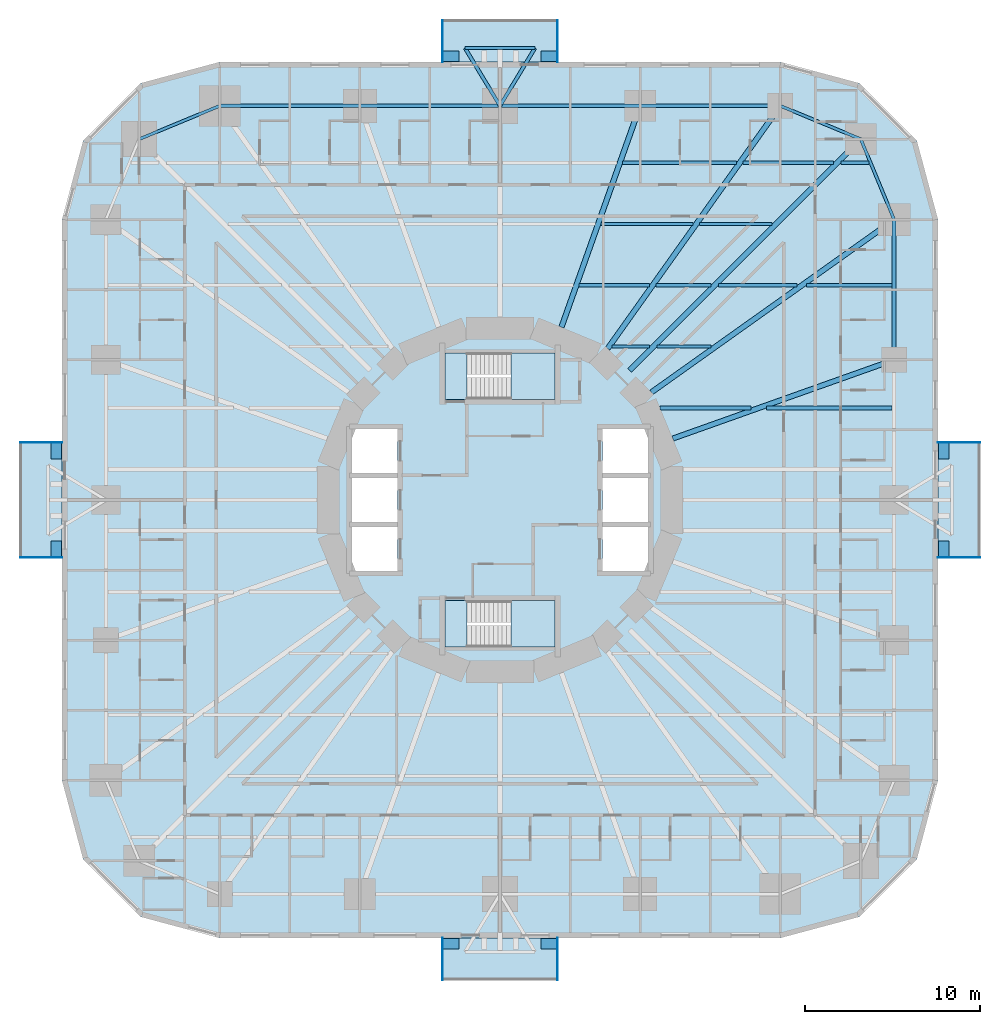
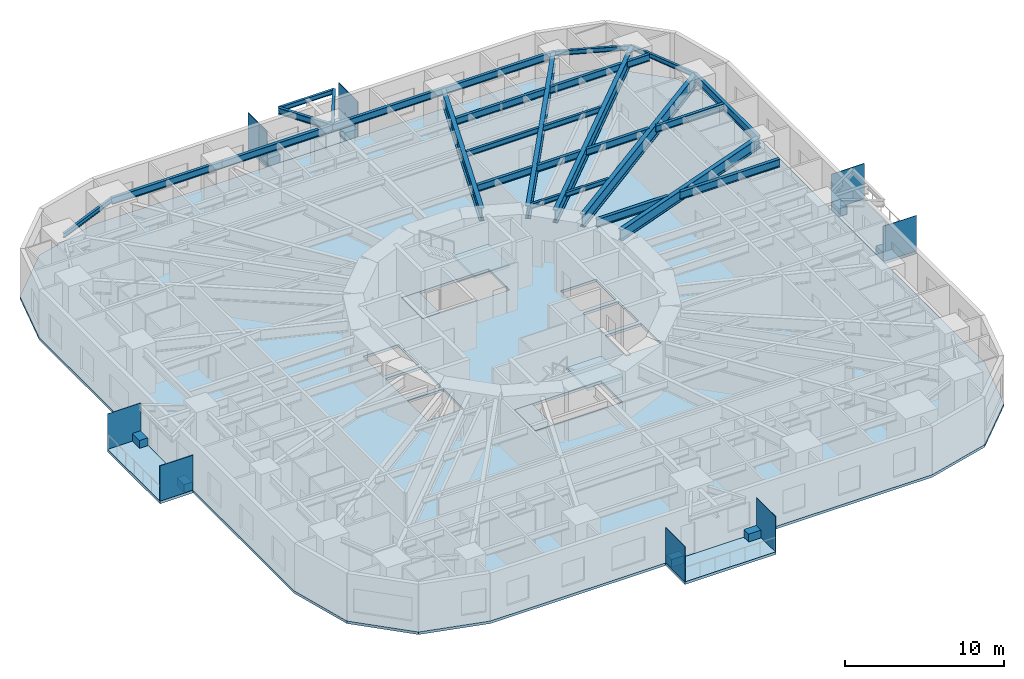
# One storey, part 3 of 14: 29 beams, 16 plates, 9 slabs, 2 elements without a shape of their own.
"""IFC4 building model written with IfcOpenShell, lengths in metres."""

from ifc_helpers import new_model, si_unit, direction, frame, origin, origin_2d, place, context, subcontext, project, spatial, polyline, rectangle, i_section, outline, extrude, material, layer, layer_set, material_profile, profile_set, type_object, element, aggregate, save


model = new_model("IFC4")

# Units and contexts
model_context = context("Model", 3, precision=1e-05, world=origin(), true_north=direction((0.0, 1.0)))
body_context = subcontext(model_context, "Body", "Model", "MODEL_VIEW")
ifc_project = project(units=[si_unit("LENGTHUNIT", "METRE"), si_unit("AREAUNIT", "SQUARE_METRE"), si_unit("VOLUMEUNIT", "CUBIC_METRE"), si_unit("PLANEANGLEUNIT", "RADIAN"), si_unit("MASSUNIT", "GRAM", prefix="KILO")], contexts=[model_context])

# Site, building, storey
site_placement = place(None, origin())
site = spatial("IfcSite", under=ifc_project, at=site_placement, CompositionType="ELEMENT")
building_placement = place(site_placement, origin())
building = spatial("IfcBuilding", under=site, at=building_placement, Name="Nakasero Lantern House", CompositionType="ELEMENT")
storey_placement = place(building_placement, frame((0.0, 0.0, 46.800048828125)))
storey = spatial("IfcBuildingStorey", under=building, at=storey_placement, Name="L11", CompositionType="ELEMENT", Elevation=46.800048828125)

# Beams
ifc_material_1 = material(Name="Steel S355", Category="steel")
ifc_material_profile_1 = material_profile(ifc_material_1, i_section(OverallWidth=0.199462890625, OverallDepth=0.491943359375, WebThickness=0.01806640625, FlangeThickness=0.031982421875, FilletRadius=0.01025390625, at=origin_2d()), Name="UB 457x191x161")
ifc_profile_set_1 = profile_set([ifc_material_profile_1], Name="Steel S355")
beam_type_1 = type_object("IfcBeamType", Name="Balcony splay beam UB 457x191x161", PredefinedType="BEAM", material=ifc_profile_set_1)
for number, where, z_axis, x_axis, name in (
    (1, (0.0, 22.5, 3.404052734375), (-0.518296107317, 0.855201230787, 0.0), (-0.855201230787, -0.518296107317, 0.0), "Balcony splay beam L12 B1-C09A"),
    (2, (0.0, 22.5, 3.404052734375), (0.518296107317, 0.855201230787, 0.0), (-0.855201230787, 0.518296107317, 0.0), "Balcony splay beam L12 B1-C09B"),
):
    element("IfcBeam", number, at=place(storey_placement, frame(where, z_axis=z_axis, x_axis=x_axis)), inside=storey, type_object=beam_type_1, Name=name, PredefinedType="BEAM", context=body_context, shape_type="SweptSolid", body=[
        extrude(i_section(OverallWidth=0.199462890625, OverallDepth=0.491943359375, WebThickness=0.01806640625, FlangeThickness=0.031982421875, FilletRadius=0.01025390625, at=origin_2d()), origin(), (0.0, 0.0, 1.0), 3.85888671875),
    ])
ifc_material_2 = material(Name="Steel S355", Category="steel")
ifc_material_profile_2 = material_profile(ifc_material_2, i_section(OverallWidth=0.17138671875, OverallDepth=0.35498046875, WebThickness=0.00732421875, FlangeThickness=0.011474609375, FilletRadius=0.01025390625, at=origin_2d()), Name="UB 356x171x51")
ifc_profile_set_2 = profile_set([ifc_material_profile_2], Name="Steel S355")
beam_type_2 = type_object("IfcBeamType", Name="Balcony tie beam UB 356x171x51", PredefinedType="BEAM", material=ifc_profile_set_2)
beam_1_placement = place(storey_placement, frame((-2.0, 25.800048828125, 3.472412109375), z_axis=(1.0, 0.0, 0.0), x_axis=(0.0, 1.0, 0.0)))
element("IfcBeam", 3, at=beam_1_placement, inside=storey, type_object=beam_type_2, Name="Balcony tie beam L12 B1-C09", PredefinedType="BEAM", context=body_context, shape_type="SweptSolid", body=[
    extrude(i_section(OverallWidth=0.17138671875, OverallDepth=0.35498046875, WebThickness=0.00732421875, FlangeThickness=0.011474609375, FilletRadius=0.01025390625, at=origin_2d()), origin(), (0.0, 0.0, 1.0), 4.0),
])
ifc_material_3 = material(Name="Steel S355", Category="steel")
ifc_material_profile_3 = material_profile(ifc_material_3, i_section(OverallWidth=0.17138671875, OverallDepth=0.35498046875, WebThickness=0.00732421875, FlangeThickness=0.011474609375, FilletRadius=0.01025390625, at=origin_2d()), Name="UB 356x171x51")
ifc_profile_set_3 = profile_set([ifc_material_profile_3], Name="Steel S355")
beam_type_3 = type_object("IfcBeamType", Name="Infill beam UB 356x171x51", PredefinedType="JOIST", material=ifc_profile_set_3)
beam_2_placement = place(storey_placement, frame((6.40625, 8.75, 3.472412109375), z_axis=(1.0, 0.0, 0.0), x_axis=(0.0, 1.0, 0.0)))
element("IfcBeam", 4, at=beam_2_placement, inside=storey, type_object=beam_type_3, Name="Infill beam L12 10.3", PredefinedType="JOIST", context=body_context, shape_type="SweptSolid", body=[
    extrude(i_section(OverallWidth=0.17138671875, OverallDepth=0.35498046875, WebThickness=0.00732421875, FlangeThickness=0.011474609375, FilletRadius=0.01025390625, at=origin_2d()), origin(), (0.0, 0.0, 1.0), 2.131591796875),
])
beam_3_placement = place(storey_placement, frame((8.962158203125, 8.75, 3.472412109375), z_axis=(1.0, 0.0, 0.0), x_axis=(0.0, 1.0, 0.0)))
element("IfcBeam", 5, at=beam_3_placement, inside=storey, type_object=beam_type_3, Name="Infill beam L12 10.4", PredefinedType="JOIST", context=body_context, shape_type="SweptSolid", body=[
    extrude(i_section(OverallWidth=0.17138671875, OverallDepth=0.35498046875, WebThickness=0.00732421875, FlangeThickness=0.011474609375, FilletRadius=0.01025390625, at=origin_2d()), origin(), (0.0, 0.0, 1.0), 3.083740234375),
])
ifc_material_4 = material(Name="Steel S355", Category="steel")
ifc_material_profile_4 = material_profile(ifc_material_4, i_section(OverallWidth=0.177978515625, OverallDepth=0.406494140625, WebThickness=0.0078125, FlangeThickness=0.0126953125, FilletRadius=0.01025390625, at=origin_2d()), Name="UB 406x178x60")
ifc_profile_set_4 = profile_set([ifc_material_profile_4], Name="Steel S355")
beam_type_4 = type_object("IfcBeamType", Name="Infill beam UB 406x178x60", PredefinedType="JOIST", material=ifc_profile_set_4)
beam_4_placement = place(storey_placement, frame((5.75927734375, 15.75, 3.44677734375), z_axis=(1.0, 0.0, 0.0), x_axis=(0.0, 1.0, 0.0)))
element("IfcBeam", 6, at=beam_4_placement, inside=storey, type_object=beam_type_4, Name="Infill beam L12 12.5", PredefinedType="JOIST", context=body_context, shape_type="SweptSolid", body=[
    extrude(i_section(OverallWidth=0.177978515625, OverallDepth=0.406494140625, WebThickness=0.0078125, FlangeThickness=0.0126953125, FilletRadius=0.01025390625, at=origin_2d()), origin(), (0.0, 0.0, 1.0), 5.256591796875),
])
beam_5_placement = place(storey_placement, frame((11.384033203125, 15.75, 3.44677734375), z_axis=(1.0, 0.0, 0.0), x_axis=(0.0, 1.0, 0.0)))
element("IfcBeam", 7, at=beam_5_placement, inside=storey, type_object=beam_type_4, Name="Infill beam L12 12.6", PredefinedType="JOIST", context=body_context, shape_type="SweptSolid", body=[
    extrude(i_section(OverallWidth=0.177978515625, OverallDepth=0.406494140625, WebThickness=0.0078125, FlangeThickness=0.0126953125, FilletRadius=0.01025390625, at=origin_2d()), origin(), (0.0, 0.0, 1.0), 4.15380859375),
])
ifc_material_5 = material(Name="Steel S355", Category="steel")
ifc_material_profile_5 = material_profile(ifc_material_5, i_section(OverallWidth=0.208740234375, OverallDepth=0.5283203125, WebThickness=0.009521484375, FlangeThickness=0.01318359375, FilletRadius=0.0126953125, at=origin_2d()), Name="UB 533x210x82")
ifc_profile_set_5 = profile_set([ifc_material_profile_5], Name="Steel S355")
beam_type_5 = type_object("IfcBeamType", Name="Infill beam UB 533x210x82", PredefinedType="JOIST", material=ifc_profile_set_5)
beam_6_placement = place(storey_placement, frame((4.5146484375, 12.25, 3.3857421875), z_axis=(1.0, 0.0, 0.0), x_axis=(0.0, 1.0, 0.0)))
element("IfcBeam", 8, at=beam_6_placement, inside=storey, type_object=beam_type_5, Name="Infill beam L12 11.7", PredefinedType="JOIST", context=body_context, shape_type="SweptSolid", body=[
    extrude(i_section(OverallWidth=0.208740234375, OverallDepth=0.5283203125, WebThickness=0.009521484375, FlangeThickness=0.01318359375, FilletRadius=0.0126953125, at=origin_2d()), origin(), (0.0, 0.0, 1.0), 4.012451171875),
])
beam_7_placement = place(storey_placement, frame((8.895263671875, 12.25, 3.3857421875), z_axis=(1.0, 0.0, 0.0), x_axis=(0.0, 1.0, 0.0)))
element("IfcBeam", 9, at=beam_7_placement, inside=storey, type_object=beam_type_5, Name="Infill beam L12 11.8", PredefinedType="JOIST", context=body_context, shape_type="SweptSolid", body=[
    extrude(i_section(OverallWidth=0.208740234375, OverallDepth=0.5283203125, WebThickness=0.009521484375, FlangeThickness=0.01318359375, FilletRadius=0.0126953125, at=origin_2d()), origin(), (0.0, 0.0, 1.0), 3.142578125),
])
beam_8_placement = place(storey_placement, frame((12.462158203125, 12.25, 3.3857421875), z_axis=(1.0, 0.0, 0.0), x_axis=(0.0, 1.0, 0.0)))
element("IfcBeam", 10, at=beam_8_placement, inside=storey, type_object=beam_type_5, Name="Infill beam L12 11.9", PredefinedType="JOIST", context=body_context, shape_type="SweptSolid", body=[
    extrude(i_section(OverallWidth=0.208740234375, OverallDepth=0.5283203125, WebThickness=0.009521484375, FlangeThickness=0.01318359375, FilletRadius=0.0126953125, at=origin_2d()), origin(), (0.0, 0.0, 1.0), 4.505615234375),
])
beam_9_placement = place(storey_placement, frame((17.4853515625, 12.25, 3.3857421875), z_axis=(1.0, 0.0, 0.0), x_axis=(0.0, 1.0, 0.0)))
element("IfcBeam", 11, at=beam_9_placement, inside=storey, type_object=beam_type_5, Name="Infill beam L12 11.10", PredefinedType="JOIST", context=body_context, shape_type="SweptSolid", body=[
    extrude(i_section(OverallWidth=0.208740234375, OverallDepth=0.5283203125, WebThickness=0.009521484375, FlangeThickness=0.01318359375, FilletRadius=0.0126953125, at=origin_2d()), origin(), (0.0, 0.0, 1.0), 4.900146484375),
])
beam_10_placement = place(storey_placement, frame((7.003662109375, 19.25, 3.3857421875), z_axis=(1.0, 0.0, 0.0), x_axis=(0.0, 1.0, 0.0)))
element("IfcBeam", 12, at=beam_10_placement, inside=storey, type_object=beam_type_5, Name="Infill beam L12 13.6", PredefinedType="JOIST", context=body_context, shape_type="SweptSolid", body=[
    extrude(i_section(OverallWidth=0.208740234375, OverallDepth=0.5283203125, WebThickness=0.009521484375, FlangeThickness=0.01318359375, FilletRadius=0.0126953125, at=origin_2d()), origin(), (0.0, 0.0, 1.0), 6.501220703125),
])
beam_11_placement = place(storey_placement, frame((13.873046875, 19.25, 3.3857421875), z_axis=(1.0, 0.0, 0.0), x_axis=(0.0, 1.0, 0.0)))
element("IfcBeam", 13, at=beam_11_placement, inside=storey, type_object=beam_type_5, Name="Infill beam L12 13.7", PredefinedType="JOIST", context=body_context, shape_type="SweptSolid", body=[
    extrude(i_section(OverallWidth=0.208740234375, OverallDepth=0.5283203125, WebThickness=0.009521484375, FlangeThickness=0.01318359375, FilletRadius=0.0126953125, at=origin_2d()), origin(), (0.0, 0.0, 1.0), 5.164794921875),
])
beam_12_placement = place(storey_placement, frame((19.462158203125, 19.25, 3.3857421875), z_axis=(1.0, 0.0, 0.0), x_axis=(0.0, 1.0, 0.0)))
element("IfcBeam", 14, at=beam_12_placement, inside=storey, type_object=beam_type_5, Name="Infill beam L12 13.8", PredefinedType="JOIST", context=body_context, shape_type="SweptSolid", body=[
    extrude(i_section(OverallWidth=0.208740234375, OverallDepth=0.5283203125, WebThickness=0.009521484375, FlangeThickness=0.01318359375, FilletRadius=0.0126953125, at=origin_2d()), origin(), (0.0, 0.0, 1.0), 1.598876953125),
])
ifc_material_6 = material(Name="Steel S355", Category="steel")
ifc_material_profile_6 = material_profile(ifc_material_6, i_section(OverallWidth=0.2275390625, OverallDepth=0.6025390625, WebThickness=0.010498046875, FlangeThickness=0.014892578125, FilletRadius=0.0126953125, at=origin_2d()), Name="UB 610x229x101")
ifc_profile_set_6 = profile_set([ifc_material_profile_6], Name="Steel S355")
beam_type_6 = type_object("IfcBeamType", Name="Infill beam UB 610x229x101", PredefinedType="JOIST", material=ifc_profile_set_6)
beam_13_placement = place(storey_placement, frame((9.144775390625, 5.25, 3.3486328125), z_axis=(1.0, 0.0, 0.0), x_axis=(0.0, 1.0, 0.0)))
element("IfcBeam", 15, at=beam_13_placement, inside=storey, type_object=beam_type_6, Name="Infill beam L12 09.3", PredefinedType="JOIST", context=body_context, shape_type="SweptSolid", body=[
    extrude(i_section(OverallWidth=0.2275390625, OverallDepth=0.6025390625, WebThickness=0.010498046875, FlangeThickness=0.014892578125, FilletRadius=0.0126953125, at=origin_2d()), origin(), (0.0, 0.0, 1.0), 5.184326171875),
])
beam_14_placement = place(storey_placement, frame((15.2021484375, 5.25, 3.3486328125), z_axis=(1.0, 0.0, 0.0), x_axis=(0.0, 1.0, 0.0)))
element("IfcBeam", 16, at=beam_14_placement, inside=storey, type_object=beam_type_6, Name="Infill beam L12 09.4", PredefinedType="JOIST", context=body_context, shape_type="SweptSolid", body=[
    extrude(i_section(OverallWidth=0.2275390625, OverallDepth=0.6025390625, WebThickness=0.010498046875, FlangeThickness=0.014892578125, FilletRadius=0.0126953125, at=origin_2d()), origin(), (0.0, 0.0, 1.0), 7.183349609375),
])
ifc_material_7 = material(Name="Steel S355", Category="steel")
ifc_material_profile_7 = material_profile(ifc_material_7, i_section(OverallWidth=0.300048828125, OverallDepth=0.97021484375, WebThickness=0.01611328125, FlangeThickness=0.02099609375, FilletRadius=0.030029296875, at=origin_2d()), Name="UB 1016x305x222")
ifc_profile_set_7 = profile_set([ifc_material_profile_7], Name="Steel S355")
beam_type_7 = type_object("IfcBeamType", Name="Primary beam UB 1016x305x222, span 12 to 15 m", PredefinedType="BEAM", material=ifc_profile_set_7)
beam_15_placement = place(storey_placement, frame((8.0, 22.5, 3.164794921875), z_axis=(-0.335010745293, -0.942214307118, 0.0), x_axis=(0.942214307118, -0.335010745293, 0.0)))
element("IfcBeam", 17, at=beam_15_placement, inside=storey, type_object=beam_type_7, Name="Primary beam L12 B1-C08", PredefinedType="BEAM", context=body_context, shape_type="SweptSolid", body=[
    extrude(i_section(OverallWidth=0.300048828125, OverallDepth=0.97021484375, WebThickness=0.01611328125, FlangeThickness=0.02099609375, FilletRadius=0.030029296875, at=origin_2d()), origin(), (0.0, 0.0, 1.0), 13.408447265625),
])
ifc_material_8 = material(Name="Steel S355", Category="steel")
ifc_material_profile_8 = material_profile(ifc_material_8, i_section(OverallWidth=0.300048828125, OverallDepth=0.989990234375, WebThickness=0.0166015625, FlangeThickness=0.031005859375, FilletRadius=0.030029296875, at=origin_2d()), Name="UB 1016x305x272")
ifc_profile_set_8 = profile_set([ifc_material_profile_8], Name="Steel S355")
beam_type_8 = type_object("IfcBeamType", Name="Primary beam UB 1016x305x272, span over 15 m", PredefinedType="BEAM", material=ifc_profile_set_8)
beam_16_placement = place(storey_placement, frame((22.5, 16.0, 3.15478515625), z_axis=(-0.814952159915, -0.579528236629, 0.0), x_axis=(0.579528236629, -0.814952159915, 0.0)))
element("IfcBeam", 18, at=beam_16_placement, inside=storey, type_object=beam_type_8, Name="Primary beam L12 B1-C05", PredefinedType="BEAM", context=body_context, shape_type="SweptSolid", body=[
    extrude(i_section(OverallWidth=0.300048828125, OverallDepth=0.989990234375, WebThickness=0.0166015625, FlangeThickness=0.031005859375, FilletRadius=0.030029296875, at=origin_2d()), origin(), (0.0, 0.0, 1.0), 17.003173828125),
])
beam_17_placement = place(storey_placement, frame((20.59619140625, 20.59619140625, 3.15478515625), z_axis=(-0.707106781187, -0.707106781187, 0.0), x_axis=(0.707106781187, -0.707106781187, 0.0)))
element("IfcBeam", 19, at=beam_17_placement, inside=storey, type_object=beam_type_8, Name="Primary beam L12 B1-C06", PredefinedType="BEAM", context=body_context, shape_type="SweptSolid", body=[
    extrude(i_section(OverallWidth=0.300048828125, OverallDepth=0.989990234375, WebThickness=0.0166015625, FlangeThickness=0.031005859375, FilletRadius=0.030029296875, at=origin_2d()), origin(), (0.0, 0.0, 1.0), 18.669677734375),
])
ifc_material_9 = material(Name="Steel S355", Category="steel")
ifc_material_profile_9 = material_profile(ifc_material_9, i_section(OverallWidth=0.300048828125, OverallDepth=1.0, WebThickness=0.01904296875, FlangeThickness=0.035888671875, FilletRadius=0.030029296875, at=origin_2d()), Name="UB 1016x305x314")
ifc_profile_set_9 = profile_set([ifc_material_profile_9], Name="Steel S355")
beam_type_9 = type_object("IfcBeamType", Name="Primary beam UB 1016x305x314, span over 15 m", PredefinedType="BEAM", material=ifc_profile_set_9)
beam_18_placement = place(storey_placement, frame((16.0, 22.5, 3.14990234375), z_axis=(-0.579528236629, -0.814952159915, 0.0), x_axis=(0.814952159915, -0.579528236629, 0.0)))
element("IfcBeam", 20, at=beam_18_placement, inside=storey, type_object=beam_type_9, Name="Primary beam L12 B1-C07", PredefinedType="BEAM", context=body_context, shape_type="SweptSolid", body=[
    extrude(i_section(OverallWidth=0.300048828125, OverallDepth=1.0, WebThickness=0.01904296875, FlangeThickness=0.035888671875, FilletRadius=0.030029296875, at=origin_2d()), origin(), (0.0, 0.0, 1.0), 17.003173828125),
])
ifc_material_10 = material(Name="Steel S355", Category="steel")
ifc_material_profile_10 = material_profile(ifc_material_10, i_section(OverallWidth=0.29248046875, OverallDepth=0.8408203125, WebThickness=0.0146484375, FlangeThickness=0.02685546875, FilletRadius=0.017822265625, at=origin_2d()), Name="UB 838x292x194")
ifc_profile_set_10 = profile_set([ifc_material_profile_10], Name="Steel S355")
beam_type_10 = type_object("IfcBeamType", Name="Primary beam UB 838x292x194, span 12 to 15 m", PredefinedType="BEAM", material=ifc_profile_set_10)
beam_19_placement = place(storey_placement, frame((22.5, 8.0, 3.2294921875), z_axis=(-0.942214307118, -0.335010745293, 0.0), x_axis=(0.335010745293, -0.942214307118, 0.0)))
element("IfcBeam", 21, at=beam_19_placement, inside=storey, type_object=beam_type_10, Name="Primary beam L12 B1-C04", PredefinedType="BEAM", context=body_context, shape_type="SweptSolid", body=[
    extrude(i_section(OverallWidth=0.29248046875, OverallDepth=0.8408203125, WebThickness=0.0146484375, FlangeThickness=0.02685546875, FilletRadius=0.017822265625, at=origin_2d()), origin(), (0.0, 0.0, 1.0), 13.408447265625),
])
ifc_material_11 = material(Name="Steel S355", Category="steel")
ifc_material_profile_11 = material_profile(ifc_material_11, i_section(OverallWidth=0.17138671875, OverallDepth=0.35498046875, WebThickness=0.00732421875, FlangeThickness=0.011474609375, FilletRadius=0.01025390625, at=origin_2d()), Name="UB 356x171x51")
ifc_profile_set_11 = profile_set([ifc_material_profile_11], Name="Steel S355")
beam_type_11 = type_object("IfcBeamType", Name="Ring beam UB 356x171x51", PredefinedType="BEAM", material=ifc_profile_set_11)
for number, where, z_axis, x_axis, name in (
    (22, (22.5, 16.0, 3.472412109375), (-0.382684080569, 0.923879264016, 0.0), (-0.923879264016, -0.382684080569, 0.0), "Ring beam L12 B1-C05"),
    (23, (20.59619140625, 20.59619140625, 3.472412109375), (-0.923879264016, 0.382684080569, 0.0), (-0.382684080569, -0.923879264016, 0.0), "Ring beam L12 B1-C06"),
    (24, (-16.0, 22.5, 3.472412109375), (-0.923879264016, -0.382684080569, 0.0), (0.382684080569, -0.923879264016, 0.0), "Ring beam L12 B1-C11"),
):
    element("IfcBeam", number, at=place(storey_placement, frame(where, z_axis=z_axis, x_axis=x_axis)), inside=storey, type_object=beam_type_11, Name=name, PredefinedType="BEAM", context=body_context, shape_type="SweptSolid", body=[
        extrude(i_section(OverallWidth=0.17138671875, OverallDepth=0.35498046875, WebThickness=0.00732421875, FlangeThickness=0.011474609375, FilletRadius=0.01025390625, at=origin_2d()), origin(), (0.0, 0.0, 1.0), 4.974853515625),
    ])
ifc_material_12 = material(Name="Steel S355", Category="steel")
ifc_material_profile_12 = material_profile(ifc_material_12, i_section(OverallWidth=0.2099609375, OverallDepth=0.53662109375, WebThickness=0.0107421875, FlangeThickness=0.017333984375, FilletRadius=0.0126953125, at=origin_2d()), Name="UB 533x210x101")
ifc_profile_set_12 = profile_set([ifc_material_profile_12], Name="Steel S355")
beam_type_12 = type_object("IfcBeamType", Name="Ring beam UB 533x210x101", PredefinedType="BEAM", material=ifc_profile_set_12)
for number, where, z_axis, x_axis, name in (
    (25, (16.0, 22.5, 3.381591796875), (-1.0, 0.0, 0.0), (0.0, -1.0, 0.0), "Ring beam L12 B1-C07"),
    (26, (8.0, 22.5, 3.381591796875), (-1.0, 0.0, 0.0), (0.0, -1.0, 0.0), "Ring beam L12 B1-C08"),
    (27, (0.0, 22.5, 3.381591796875), (-1.0, 0.0, 0.0), (0.0, -1.0, 0.0), "Ring beam L12 B1-C09"),
    (28, (-8.0, 22.5, 3.381591796875), (-1.0, 0.0, 0.0), (0.0, -1.0, 0.0), "Ring beam L12 B1-C10"),
):
    element("IfcBeam", number, at=place(storey_placement, frame(where, z_axis=z_axis, x_axis=x_axis)), inside=storey, type_object=beam_type_12, Name=name, PredefinedType="BEAM", context=body_context, shape_type="SweptSolid", body=[
        extrude(i_section(OverallWidth=0.2099609375, OverallDepth=0.53662109375, WebThickness=0.0107421875, FlangeThickness=0.017333984375, FilletRadius=0.0126953125, at=origin_2d()), origin(), (0.0, 0.0, 1.0), 8.0),
    ])
ifc_material_13 = material(Name="Steel S355", Category="steel")
ifc_material_profile_13 = material_profile(ifc_material_13, i_section(OverallWidth=0.22900390625, OverallDepth=0.6123046875, WebThickness=0.011962890625, FlangeThickness=0.01953125, FilletRadius=0.0126953125, at=origin_2d()), Name="UB 610x229x125")
ifc_profile_set_13 = profile_set([ifc_material_profile_13], Name="Steel S355")
beam_type_13 = type_object("IfcBeamType", Name="Ring beam UB 610x229x125", PredefinedType="BEAM", material=ifc_profile_set_13)
beam_20_placement = place(storey_placement, frame((22.5, 8.0, 3.34375), z_axis=(0.0, 1.0, 0.0), x_axis=(-1.0, 0.0, 0.0)))
element("IfcBeam", 29, at=beam_20_placement, inside=storey, type_object=beam_type_13, Name="Ring beam L12 B1-C04", PredefinedType="BEAM", context=body_context, shape_type="SweptSolid", body=[
    extrude(i_section(OverallWidth=0.22900390625, OverallDepth=0.6123046875, WebThickness=0.011962890625, FlangeThickness=0.01953125, FilletRadius=0.0126953125, at=origin_2d()), origin(), (0.0, 0.0, 1.0), 8.0),
])

# Plates
ifc_material_14 = material(Name="Aluminium 6063-T6", Category="aluminium")
ifc_layer_1 = layer(ifc_material_14, 0.60009765625)
ifc_layer_set_1 = layer_set([ifc_layer_1], Name="Balcony planter 600x900")
plate_type_1 = type_object("IfcPlateType", Name="Balcony planter 600x900", PredefinedType="USERDEFINED", material=ifc_layer_set_1)
for number, where, z_axis, x_axis, name in (
    (30, (25.320068359375, -2.7900390625, 0.0), (0.0, 0.0, 1.0), (1.0, 0.0, 0.0), "Balcony PLANTER L11 BAL0A"),
    (31, (25.320068359375, 2.7900390625, 0.0), (0.0, 0.0, 1.0), (1.0, 0.0, 0.0), "Balcony PLANTER L11 BAL0B"),
    (32, (2.7900390625, 25.320068359375, 0.0), (0.0, 0.0, 1.0), (0.0, 1.0, 0.0), "Balcony PLANTER L11 BAL1A"),
    (33, (-2.7900390625, 25.320068359375, 0.0), (0.0, 0.0, 1.0), (0.0, 1.0, 0.0), "Balcony PLANTER L11 BAL1B"),
    (34, (-25.320068359375, 2.7900390625, 0.0), (0.0, 0.0, 1.0), (-1.0, 0.0, 0.0), "Balcony PLANTER L11 BAL2A"),
    (35, (-25.320068359375, -2.7900390625, 0.0), (0.0, 0.0, 1.0), (-1.0, 0.0, 0.0), "Balcony PLANTER L11 BAL2B"),
    (36, (-2.7900390625, -25.320068359375, 0.0), (0.0, 0.0, 1.0), (0.0, -1.0, 0.0), "Balcony PLANTER L11 BAL3A"),
    (37, (2.7900390625, -25.320068359375, 0.0), (0.0, 0.0, 1.0), (0.0, -1.0, 0.0), "Balcony PLANTER L11 BAL3B"),
):
    element("IfcPlate", number, at=place(storey_placement, frame(where, z_axis=z_axis, x_axis=x_axis)), inside=storey, type_object=plate_type_1, Name=name, ObjectType="PLANTER", PredefinedType="USERDEFINED", context=body_context, shape_type="SweptSolid", body=[
        extrude(rectangle(XDim=0.60009765625, YDim=0.89990234375, at=origin_2d()), origin(), (0.0, 0.0, 1.0), 0.60009765625),
    ])
ifc_material_15 = material(Name="Aluminium 6063-T6", Category="aluminium")
ifc_layer_2 = layer(ifc_material_15, 0.0400390625)
ifc_layer_set_2 = layer_set([ifc_layer_2], Name="Balcony screen 2400x2700")
plate_type_2 = type_object("IfcPlateType", Name="Balcony screen 2400x2700", PredefinedType="SHEET", material=ifc_layer_set_2)
for number, where, z_axis, x_axis, name in (
    (38, (26.199951171875, -3.280029296875, 0.0), (0.0, 0.0, 1.0), (1.0, 0.0, 0.0), "Balcony SCREEN L11 BAL0A"),
    (39, (26.199951171875, 3.280029296875, 0.0), (0.0, 0.0, 1.0), (1.0, 0.0, 0.0), "Balcony SCREEN L11 BAL0B"),
    (40, (3.280029296875, 26.199951171875, 0.0), (0.0, 0.0, 1.0), (0.0, 1.0, 0.0), "Balcony SCREEN L11 BAL1A"),
    (41, (-3.280029296875, 26.199951171875, 0.0), (0.0, 0.0, 1.0), (0.0, 1.0, 0.0), "Balcony SCREEN L11 BAL1B"),
    (42, (-26.199951171875, 3.280029296875, 0.0), (0.0, 0.0, 1.0), (-1.0, 0.0, 0.0), "Balcony SCREEN L11 BAL2A"),
    (43, (-26.199951171875, -3.280029296875, 0.0), (0.0, 0.0, 1.0), (-1.0, 0.0, 0.0), "Balcony SCREEN L11 BAL2B"),
    (44, (-3.280029296875, -26.199951171875, 0.0), (0.0, 0.0, 1.0), (0.0, -1.0, 0.0), "Balcony SCREEN L11 BAL3A"),
    (45, (3.280029296875, -26.199951171875, 0.0), (0.0, 0.0, 1.0), (0.0, -1.0, 0.0), "Balcony SCREEN L11 BAL3B"),
):
    element("IfcPlate", number, at=place(storey_placement, frame(where, z_axis=z_axis, x_axis=x_axis)), inside=storey, type_object=plate_type_2, Name=name, PredefinedType="SHEET", context=body_context, shape_type="SweptSolid", body=[
        extrude(rectangle(XDim=2.39990234375, YDim=0.0400390625, at=origin_2d()), origin(), (0.0, 0.0, 1.0), 2.699951171875),
    ])

# Slabs
ifc_material_16 = material(Name="Concrete C35/45", Category="concrete")
ifc_layer_3 = layer(ifc_material_16, 0.199951171875)
ifc_layer_set_3 = layer_set([ifc_layer_3], Name="Balcony slab 200")
slab_type_1 = type_object("IfcSlabType", Name="Balcony slab 200", PredefinedType="USERDEFINED", material=ifc_layer_set_3)
slab_1_placement = place(storey_placement, frame((0.0, 0.0, -0.199951171875)))
element("IfcSlab", 46, at=slab_1_placement, inside=storey, type_object=slab_type_1, Name="Balcony L11 BAL0", ObjectType="BALCONY", PredefinedType="USERDEFINED", context=body_context, shape_type="SweptSolid", body=[
    extrude(outline(polyline([(25.0, -3.300048828125), (27.39990234375, -3.300048828125), (27.39990234375, 3.300048828125), (25.0, 3.300048828125), (25.0, -3.300048828125)])), origin(), (0.0, 0.0, 1.0), 0.199951171875),
])
slab_2_placement = place(storey_placement, frame((0.0, 0.0, -0.199951171875)))
element("IfcSlab", 47, at=slab_2_placement, inside=storey, type_object=slab_type_1, Name="Balcony L11 BAL1", ObjectType="BALCONY", PredefinedType="USERDEFINED", context=body_context, shape_type="SweptSolid", body=[
    extrude(outline(polyline([(3.300048828125, 25.0), (3.300048828125, 27.39990234375), (-3.300048828125, 27.39990234375), (-3.300048828125, 25.0), (3.300048828125, 25.0)])), origin(), (0.0, 0.0, 1.0), 0.199951171875),
])
slab_3_placement = place(storey_placement, frame((0.0, 0.0, -0.199951171875)))
element("IfcSlab", 48, at=slab_3_placement, inside=storey, type_object=slab_type_1, Name="Balcony L11 BAL2", ObjectType="BALCONY", PredefinedType="USERDEFINED", context=body_context, shape_type="SweptSolid", body=[
    extrude(outline(polyline([(-25.0, 3.300048828125), (-27.39990234375, 3.300048828125), (-27.39990234375, -3.300048828125), (-25.0, -3.300048828125), (-25.0, 3.300048828125)])), origin(), (0.0, 0.0, 1.0), 0.199951171875),
])
slab_4_placement = place(storey_placement, frame((0.0, 0.0, -0.199951171875)))
element("IfcSlab", 49, at=slab_4_placement, inside=storey, type_object=slab_type_1, Name="Balcony L11 BAL3", ObjectType="BALCONY", PredefinedType="USERDEFINED", context=body_context, shape_type="SweptSolid", body=[
    extrude(outline(polyline([(-3.300048828125, -25.0), (-3.300048828125, -27.39990234375), (3.300048828125, -27.39990234375), (3.300048828125, -25.0), (-3.300048828125, -25.0)])), origin(), (0.0, 0.0, 1.0), 0.199951171875),
])
ifc_material_17 = material(Name="Concrete C35/45", Category="concrete")
ifc_layer_4 = layer(ifc_material_17, 0.199951171875)
ifc_layer_set_4 = layer_set([ifc_layer_4], Name="Composite floor slab 200")
slab_type_2 = type_object("IfcSlabType", Name="Composite floor slab 200", PredefinedType="FLOOR", material=ifc_layer_set_4)
slab_5_placement = place(storey_placement, frame((0.0, 0.0, -0.199951171875)))
element("IfcSlab", 50, at=slab_5_placement, inside=storey, type_object=slab_type_2, Name="Floor slab L11", PredefinedType="FLOOR", context=body_context, shape_type="SweptSolid", body=[
    extrude(outline(polyline([(25.0, 16.0), (23.794189453125, 20.5), (20.5, 23.794189453125), (16.0, 25.0), (-16.0, 25.0), (-20.5, 23.794189453125), (-23.794189453125, 20.5), (-25.0, 16.0), (-25.0, -16.0), (-23.794189453125, -20.5), (-20.5, -23.794189453125), (-16.0, -25.0), (16.0, -25.0), (20.5, -23.794189453125), (23.794189453125, -20.5), (25.0, -16.0), (25.0, 16.0)]), holes=[polyline([(-8.449951171875, -4.050048828125), (-5.85009765625, -4.050048828125), (-5.85009765625, -1.550048828125), (-8.449951171875, -1.550048828125), (-8.449951171875, -4.050048828125)]), polyline([(-8.449951171875, -1.25), (-5.85009765625, -1.25), (-5.85009765625, 1.25), (-8.449951171875, 1.25), (-8.449951171875, -1.25)]), polyline([(-8.449951171875, 1.550048828125), (-5.85009765625, 1.550048828125), (-5.85009765625, 4.050048828125), (-8.449951171875, 4.050048828125), (-8.449951171875, 1.550048828125)]), polyline([(5.85009765625, -4.050048828125), (8.449951171875, -4.050048828125), (8.449951171875, -1.550048828125), (5.85009765625, -1.550048828125), (5.85009765625, -4.050048828125)]), polyline([(5.85009765625, -1.25), (8.449951171875, -1.25), (8.449951171875, 1.25), (5.85009765625, 1.25), (5.85009765625, -1.25)]), polyline([(5.85009765625, 1.550048828125), (8.449951171875, 1.550048828125), (8.449951171875, 4.050048828125), (5.85009765625, 4.050048828125), (5.85009765625, 1.550048828125)]), polyline([(-3.14990234375, 5.75), (3.14990234375, 5.75), (3.14990234375, 8.39990234375), (-3.14990234375, 8.39990234375), (-3.14990234375, 5.75)]), polyline([(-3.14990234375, -8.39990234375), (3.14990234375, -8.39990234375), (3.14990234375, -5.75), (-3.14990234375, -5.75), (-3.14990234375, -8.39990234375)])]), origin(), (0.0, 0.0, 1.0), 0.199951171875),
])

# Stair, slabs
ifc_material_18 = material(Name="Concrete C40/50", Category="concrete")
stair_type_1 = type_object("IfcStairType", Name="Escape stair ST1 22 risers", PredefinedType="HALF_TURN_STAIR", material=ifc_material_18)
stair_1_placement = place(storey_placement, origin())
stair_1 = element("IfcStair", 51, at=stair_1_placement, inside=storey, type_object=stair_type_1, Name="Escape stair ST1 L11", PredefinedType="HALF_TURN_STAIR")
ifc_material_19 = material(Name="Concrete C40/50", Category="concrete")
ifc_layer_5 = layer(ifc_material_19, 0.199951171875)
ifc_layer_set_5 = layer_set([ifc_layer_5], Name="Stair landing 200")
slab_type_3 = type_object("IfcSlabType", Name="Stair landing 200", PredefinedType="LANDING", material=ifc_layer_set_5)
slab_6_placement = place(storey_placement, frame((0.0, 0.0, -0.199951171875)))
slab_6 = element("IfcSlab", 52, at=slab_6_placement, type_object=slab_type_3, Name="ST1 landing 1", PredefinedType="LANDING", context=body_context, shape_type="SweptSolid", body=[
    extrude(outline(polyline([(-3.14990234375, 5.75), (-1.875, 5.75), (-1.875, 8.39990234375), (-3.14990234375, 8.39990234375), (-3.14990234375, 5.75)])), origin(), (0.0, 0.0, 1.0), 0.199951171875),
])
slab_7_placement = place(storey_placement, frame((0.0, 0.0, 1.724853515625)))
slab_7 = element("IfcSlab", 53, at=slab_7_placement, type_object=slab_type_3, Name="ST1 landing 2", PredefinedType="LANDING", context=body_context, shape_type="SweptSolid", body=[
    extrude(outline(polyline([(0.625, 5.75), (3.14990234375, 5.75), (3.14990234375, 8.39990234375), (0.625, 8.39990234375), (0.625, 5.75)])), origin(), (0.0, 0.0, 1.0), 0.2001953125),
])
aggregate(stair_1, [slab_6, slab_7])

ifc_material_20 = material(Name="Concrete C40/50", Category="concrete")
stair_type_2 = type_object("IfcStairType", Name="Escape stair ST2 22 risers", PredefinedType="HALF_TURN_STAIR", material=ifc_material_20)
stair_2_placement = place(storey_placement, origin())
stair_2 = element("IfcStair", 54, at=stair_2_placement, inside=storey, type_object=stair_type_2, Name="Escape stair ST2 L11", PredefinedType="HALF_TURN_STAIR")
slab_8_placement = place(storey_placement, frame((0.0, 0.0, -0.199951171875)))
slab_8 = element("IfcSlab", 55, at=slab_8_placement, type_object=slab_type_3, Name="ST2 landing 1", PredefinedType="LANDING", context=body_context, shape_type="SweptSolid", body=[
    extrude(outline(polyline([(-3.14990234375, -8.39990234375), (-1.875, -8.39990234375), (-1.875, -5.75), (-3.14990234375, -5.75), (-3.14990234375, -8.39990234375)])), origin(), (0.0, 0.0, 1.0), 0.199951171875),
])
slab_9_placement = place(storey_placement, frame((0.0, 0.0, 1.724853515625)))
slab_9 = element("IfcSlab", 56, at=slab_9_placement, type_object=slab_type_3, Name="ST2 landing 2", PredefinedType="LANDING", context=body_context, shape_type="SweptSolid", body=[
    extrude(outline(polyline([(0.625, -8.39990234375), (3.14990234375, -8.39990234375), (3.14990234375, -5.75), (0.625, -5.75), (0.625, -8.39990234375)])), origin(), (0.0, 0.0, 1.0), 0.2001953125),
])
aggregate(stair_2, [slab_8, slab_9])

save(model, "model.ifc")
